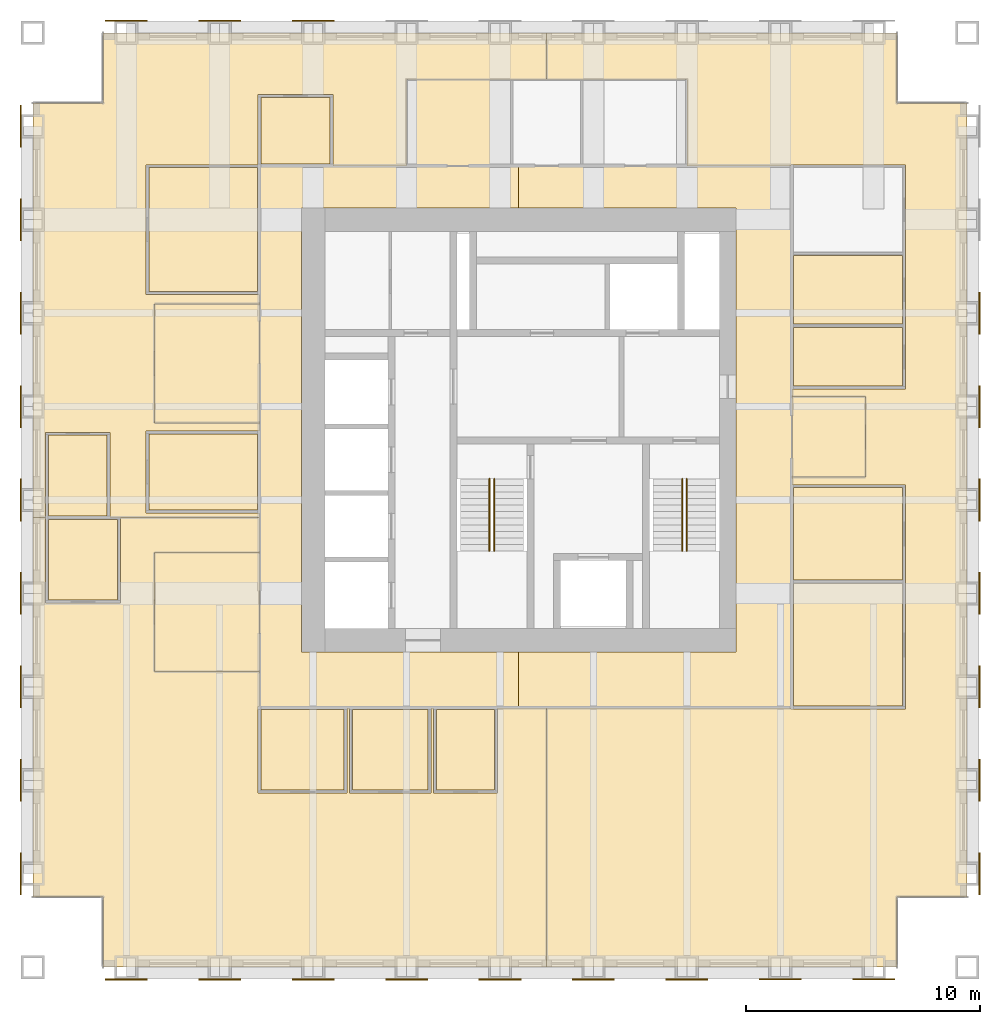
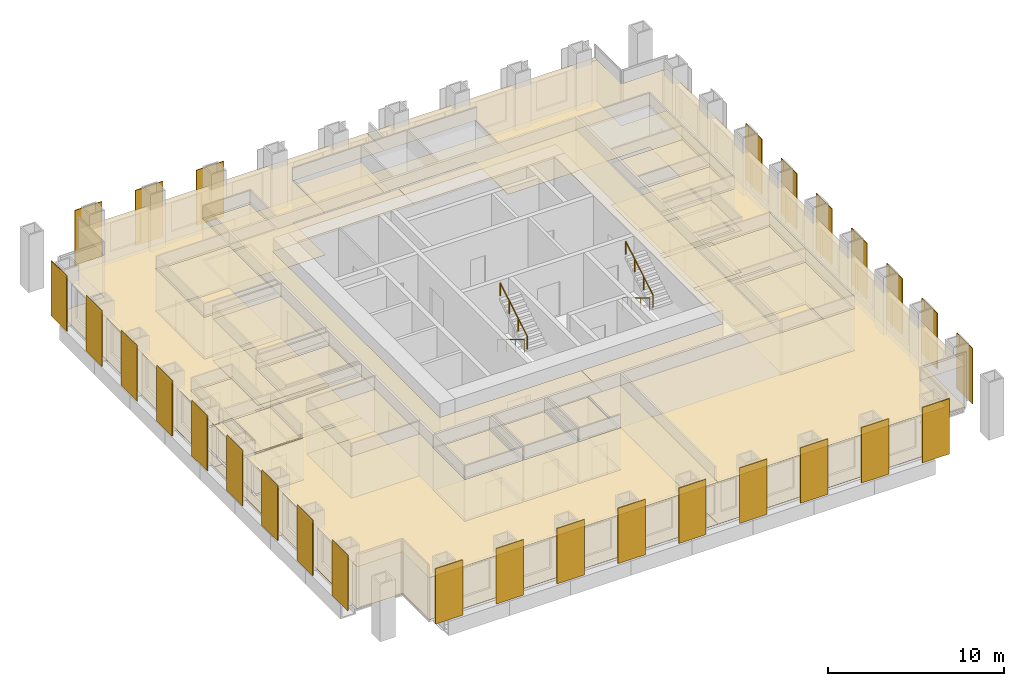
# One storey, part 12 of 13: 39 coverings, 28 shading devices, 4 railings.
"""IFC4 building model written with IfcOpenShell, lengths in metres."""

from ifc_helpers import new_model, si_unit, direction, frame, origin, origin_2d, place, context, subcontext, project, spatial, polyline, rectangle, circle, outline, extrude, material, layer, layer_set, type_object, element, save


model = new_model("IFC4")

# Units and contexts
model_context = context("Model", 3, precision=1e-05, world=origin(), true_north=direction((0.0, 1.0)))
body_context = subcontext(model_context, "Body", "Model", "MODEL_VIEW")
ifc_project = project(units=[si_unit("LENGTHUNIT", "METRE"), si_unit("AREAUNIT", "SQUARE_METRE"), si_unit("VOLUMEUNIT", "CUBIC_METRE"), si_unit("PLANEANGLEUNIT", "RADIAN"), si_unit("MASSUNIT", "GRAM", prefix="KILO")], contexts=[model_context])

# Site, building, storey
site_placement = place(None, origin())
site = spatial("IfcSite", under=ifc_project, at=site_placement, CompositionType="ELEMENT")
building_placement = place(site_placement, origin())
building = spatial("IfcBuilding", under=site, at=building_placement, Name="Rimbunsela Tower", CompositionType="ELEMENT")
storey_placement = place(building_placement, frame((0.0, 0.0, 290.199951171875)))
storey = spatial("IfcBuildingStorey", under=building, at=storey_placement, Name="L70", CompositionType="ELEMENT", Elevation=290.199951171875)

# Coverings
ifc_material_1 = material(Name="Nylon carpet tile", Category="textile")
ifc_layer_1 = layer(ifc_material_1, 0.010009765625)
ifc_layer_set_1 = layer_set([ifc_layer_1], Name="Carpet tile 10")
covering_type_1 = type_object("IfcCoveringType", Name="Carpet tile 10", PredefinedType="FLOORING", material=ifc_layer_set_1)
covering_1_placement = place(storey_placement, origin())
element("IfcCovering", 1, at=covering_1_placement, inside=storey, type_object=covering_type_1, Name="Floor finish Open office", PredefinedType="FLOORING", context=body_context, shape_type="SweptSolid", body=[
    extrude(outline(polyline([(19.449951171875, 15.10009765625), (19.550048828125, 15.10009765625), (19.550048828125, 11.449951171875), (23.050048828125, 11.449951171875), (23.050048828125, 15.10009765625), (23.14990234375, 15.10009765625), (23.14990234375, 11.449951171875), (25.89990234375, 11.449951171875), (25.89990234375, 15.10009765625), (27.9990234375, 15.10009765625), (27.9990234375, 4.0), (15.699951171875, 4.0), (9.0, 4.0), (9.0, 7.0), (6.0, 7.0), (6.0, 23.2490234375), (6.550048828125, 23.2490234375), (6.550048828125, 19.60009765625), (9.75, 19.60009765625), (9.75, 23.2490234375), (15.699951171875, 23.2490234375), (15.699951171875, 21.75), (11.199951171875, 21.75), (11.199951171875, 16.64990234375), (15.699951171875, 16.64990234375), (15.699951171875, 15.14990234375), (15.64990234375, 15.14990234375), (15.64990234375, 11.449951171875), (15.699951171875, 11.449951171875), (19.449951171875, 11.449951171875), (19.449951171875, 15.10009765625)])), origin(), (0.0, 0.0, 1.0), 0.010009765625),
])
covering_2_placement = place(storey_placement, origin())
element("IfcCovering", 2, at=covering_2_placement, inside=storey, type_object=covering_type_1, Name="Floor finish Open office", PredefinedType="FLOORING", context=body_context, shape_type="SweptSolid", body=[
    extrude(outline(polyline([(15.64990234375, 38.35009765625), (10.85009765625, 38.35009765625), (10.85009765625, 32.800048828125), (15.699951171875, 32.800048828125), (15.699951171875, 32.39990234375), (11.199951171875, 32.39990234375), (11.199951171875, 27.300048828125), (15.699951171875, 27.300048828125), (15.699951171875, 26.949951171875), (10.85009765625, 26.949951171875), (10.85009765625, 23.449951171875), (15.699951171875, 23.449951171875), (15.699951171875, 23.2509765625), (9.300048828125, 23.2509765625), (9.300048828125, 26.89990234375), (6.550048828125, 26.89990234375), (6.550048828125, 23.2509765625), (6.0, 23.2509765625), (6.0, 41.0), (9.0, 41.0), (9.0, 44.0), (15.699951171875, 44.0), (27.9990234375, 44.0), (27.9990234375, 42.0), (22.0, 42.0), (22.0, 38.300048828125), (18.85009765625, 38.300048828125), (18.85009765625, 41.35009765625), (15.699951171875, 41.35009765625), (15.64990234375, 41.35009765625), (15.64990234375, 38.35009765625)])), origin(), (0.0, 0.0, 1.0), 0.010009765625),
])
covering_3_placement = place(storey_placement, origin())
element("IfcCovering", 3, at=covering_3_placement, inside=storey, type_object=covering_type_1, Name="Floor finish Open office", PredefinedType="FLOORING", context=body_context, shape_type="SweptSolid", body=[
    extrude(outline(polyline([(28.0009765625, 15.10009765625), (38.449951171875, 15.10009765625), (38.449951171875, 15.050048828125), (38.5, 15.050048828125), (43.35009765625, 15.050048828125), (43.35009765625, 20.449951171875), (43.35009765625, 20.550048828125), (43.35009765625, 24.64990234375), (38.5, 24.64990234375), (38.5, 24.97509765625), (41.64990234375, 24.97509765625), (41.64990234375, 28.425048828125), (38.5, 28.425048828125), (38.5, 28.75), (43.35009765625, 28.75), (43.35009765625, 31.39990234375), (43.35009765625, 31.5), (43.35009765625, 34.5), (43.35009765625, 34.60009765625), (43.35009765625, 38.35009765625), (38.5, 38.35009765625), (38.449951171875, 38.35009765625), (38.449951171875, 38.300048828125), (34.0, 38.300048828125), (34.0, 42.0), (28.0009765625, 42.0), (28.0009765625, 44.0), (38.5, 44.0), (43.0, 44.0), (43.0, 41.0), (46.0, 41.0), (46.0, 7.0), (43.0, 7.0), (43.0, 4.0), (38.5, 4.0), (28.0009765625, 4.0), (28.0009765625, 15.10009765625)])), origin(), (0.0, 0.0, 1.0), 0.010009765625),
])
covering_4_placement = place(storey_placement, origin())
element("IfcCovering", 4, at=covering_4_placement, inside=storey, type_object=covering_type_1, Name="Floor finish Reception", PredefinedType="FLOORING", context=body_context, shape_type="SweptSolid", body=[
    extrude(outline(polyline([(15.699951171875, 16.64990234375), (15.699951171875, 21.75), (11.199951171875, 21.75), (11.199951171875, 16.64990234375), (15.699951171875, 16.64990234375)])), origin(), (0.0, 0.0, 1.0), 0.010009765625),
])
covering_5_placement = place(storey_placement, origin())
element("IfcCovering", 5, at=covering_5_placement, inside=storey, type_object=covering_type_1, Name="Floor finish Reception", PredefinedType="FLOORING", context=body_context, shape_type="SweptSolid", body=[
    extrude(outline(polyline([(15.699951171875, 27.300048828125), (15.699951171875, 32.39990234375), (11.199951171875, 32.39990234375), (11.199951171875, 27.300048828125), (15.699951171875, 27.300048828125)])), origin(), (0.0, 0.0, 1.0), 0.010009765625),
])
covering_6_placement = place(storey_placement, origin())
element("IfcCovering", 6, at=covering_6_placement, inside=storey, type_object=covering_type_1, Name="Floor finish Reception", PredefinedType="FLOORING", context=body_context, shape_type="SweptSolid", body=[
    extrude(outline(polyline([(41.64990234375, 24.97509765625), (41.64990234375, 28.425048828125), (38.5, 28.425048828125), (38.5, 24.97509765625), (41.64990234375, 24.97509765625)])), origin(), (0.0, 0.0, 1.0), 0.010009765625),
])
covering_7_placement = place(storey_placement, origin())
element("IfcCovering", 7, at=covering_7_placement, inside=storey, type_object=covering_type_1, Name="Floor finish Meeting room", PredefinedType="FLOORING", context=body_context, shape_type="SweptSolid", body=[
    extrude(outline(polyline([(15.625, 32.925048828125), (15.625, 38.22509765625), (10.97509765625, 38.22509765625), (10.97509765625, 32.925048828125), (15.625, 32.925048828125)])), origin(), (0.0, 0.0, 1.0), 0.010009765625),
])
covering_8_placement = place(storey_placement, origin())
element("IfcCovering", 8, at=covering_8_placement, inside=storey, type_object=covering_type_1, Name="Floor finish Meeting room", PredefinedType="FLOORING", context=body_context, shape_type="SweptSolid", body=[
    extrude(outline(polyline([(43.22509765625, 15.175048828125), (43.22509765625, 20.425048828125), (38.574951171875, 20.425048828125), (38.574951171875, 15.175048828125), (43.22509765625, 15.175048828125)])), origin(), (0.0, 0.0, 1.0), 0.010009765625),
])
covering_9_placement = place(storey_placement, origin())
element("IfcCovering", 9, at=covering_9_placement, inside=storey, type_object=covering_type_1, Name="Floor finish Pantry", PredefinedType="FLOORING", context=body_context, shape_type="SweptSolid", body=[
    extrude(outline(polyline([(43.22509765625, 20.574951171875), (43.22509765625, 24.52490234375), (38.574951171875, 24.52490234375), (38.574951171875, 20.574951171875), (43.22509765625, 20.574951171875)])), origin(), (0.0, 0.0, 1.0), 0.010009765625),
])
covering_10_placement = place(storey_placement, origin())
element("IfcCovering", 10, at=covering_10_placement, inside=storey, type_object=covering_type_1, Name="Floor finish Print and copy room", PredefinedType="FLOORING", context=body_context, shape_type="SweptSolid", body=[
    extrude(outline(polyline([(43.22509765625, 28.875), (43.22509765625, 31.375), (38.574951171875, 31.375), (38.574951171875, 28.875), (43.22509765625, 28.875)])), origin(), (0.0, 0.0, 1.0), 0.010009765625),
])
covering_11_placement = place(storey_placement, origin())
element("IfcCovering", 11, at=covering_11_placement, inside=storey, type_object=covering_type_1, Name="Floor finish Office", PredefinedType="FLOORING", context=body_context, shape_type="SweptSolid", body=[
    extrude(outline(polyline([(43.22509765625, 31.52490234375), (43.22509765625, 34.47509765625), (38.574951171875, 34.47509765625), (38.574951171875, 31.52490234375), (43.22509765625, 31.52490234375)])), origin(), (0.0, 0.0, 1.0), 0.010009765625),
])
covering_12_placement = place(storey_placement, origin())
element("IfcCovering", 12, at=covering_12_placement, inside=storey, type_object=covering_type_1, Name="Floor finish Meeting room", PredefinedType="FLOORING", context=body_context, shape_type="SweptSolid", body=[
    extrude(outline(polyline([(19.324951171875, 11.574951171875), (19.324951171875, 15.02490234375), (15.77490234375, 15.02490234375), (15.77490234375, 11.574951171875), (19.324951171875, 11.574951171875)])), origin(), (0.0, 0.0, 1.0), 0.010009765625),
])
covering_13_placement = place(storey_placement, origin())
element("IfcCovering", 13, at=covering_13_placement, inside=storey, type_object=covering_type_1, Name="Floor finish Pantry", PredefinedType="FLOORING", context=body_context, shape_type="SweptSolid", body=[
    extrude(outline(polyline([(22.925048828125, 11.574951171875), (22.925048828125, 15.02490234375), (19.675048828125, 15.02490234375), (19.675048828125, 11.574951171875), (22.925048828125, 11.574951171875)])), origin(), (0.0, 0.0, 1.0), 0.010009765625),
])
covering_14_placement = place(storey_placement, origin())
element("IfcCovering", 14, at=covering_14_placement, inside=storey, type_object=covering_type_1, Name="Floor finish Print and copy room", PredefinedType="FLOORING", context=body_context, shape_type="SweptSolid", body=[
    extrude(outline(polyline([(25.77490234375, 11.574951171875), (25.77490234375, 15.02490234375), (23.27490234375, 15.02490234375), (23.27490234375, 11.574951171875), (25.77490234375, 11.574951171875)])), origin(), (0.0, 0.0, 1.0), 0.010009765625),
])
covering_15_placement = place(storey_placement, origin())
element("IfcCovering", 15, at=covering_15_placement, inside=storey, type_object=covering_type_1, Name="Floor finish Office", PredefinedType="FLOORING", context=body_context, shape_type="SweptSolid", body=[
    extrude(outline(polyline([(9.625, 19.72509765625), (9.625, 23.175048828125), (6.675048828125, 23.175048828125), (6.675048828125, 19.72509765625), (9.625, 19.72509765625)])), origin(), (0.0, 0.0, 1.0), 0.010009765625),
])
covering_16_placement = place(storey_placement, origin())
element("IfcCovering", 16, at=covering_16_placement, inside=storey, type_object=covering_type_1, Name="Floor finish Pantry", PredefinedType="FLOORING", context=body_context, shape_type="SweptSolid", body=[
    extrude(outline(polyline([(15.625, 23.574951171875), (15.625, 26.824951171875), (10.97509765625, 26.824951171875), (10.97509765625, 23.574951171875), (15.625, 23.574951171875)])), origin(), (0.0, 0.0, 1.0), 0.010009765625),
])
covering_17_placement = place(storey_placement, origin())
element("IfcCovering", 17, at=covering_17_placement, inside=storey, type_object=covering_type_1, Name="Floor finish Print and copy room", PredefinedType="FLOORING", context=body_context, shape_type="SweptSolid", body=[
    extrude(outline(polyline([(9.175048828125, 23.324951171875), (9.175048828125, 26.77490234375), (6.675048828125, 26.77490234375), (6.675048828125, 23.324951171875), (9.175048828125, 23.324951171875)])), origin(), (0.0, 0.0, 1.0), 0.010009765625),
])
covering_18_placement = place(storey_placement, origin())
element("IfcCovering", 18, at=covering_18_placement, inside=storey, type_object=covering_type_1, Name="Floor finish Office", PredefinedType="FLOORING", context=body_context, shape_type="SweptSolid", body=[
    extrude(outline(polyline([(18.72509765625, 38.375), (18.72509765625, 41.22509765625), (15.77490234375, 41.22509765625), (15.77490234375, 38.375), (18.72509765625, 38.375)])), origin(), (0.0, 0.0, 1.0), 0.010009765625),
])
ifc_material_2 = material(Name="Mineral fibre ceiling tile", Category="gypsum")
ifc_layer_2 = layer(ifc_material_2, 0.02001953125)
ifc_layer_set_2 = layer_set([ifc_layer_2], Name="Ceiling 600 grid")
covering_type_2 = type_object("IfcCoveringType", Name="Ceiling 600 grid", PredefinedType="CEILING", material=ifc_layer_set_2)
covering_19_placement = place(storey_placement, frame((0.0, 0.0, 2.900146484375)))
element("IfcCovering", 19, at=covering_19_placement, inside=storey, type_object=covering_type_2, Name="Ceiling Ring corridor", PredefinedType="CEILING", context=body_context, shape_type="SweptSolid", body=[
    extrude(outline(polyline([(15.699951171875, 38.300048828125), (26.800048828125, 38.300048828125), (26.800048828125, 36.5), (17.5, 36.5), (17.5, 17.5), (26.800048828125, 17.5), (26.800048828125, 15.10009765625), (15.699951171875, 15.10009765625), (15.699951171875, 38.300048828125)])), origin(), (0.0, 0.0, 1.0), 0.02001953125),
])
covering_20_placement = place(storey_placement, frame((0.0, 0.0, 2.900146484375)))
element("IfcCovering", 20, at=covering_20_placement, inside=storey, type_object=covering_type_2, Name="Ceiling Ring corridor", PredefinedType="CEILING", context=body_context, shape_type="SweptSolid", body=[
    extrude(outline(polyline([(38.5, 38.300048828125), (38.5, 15.10009765625), (26.800048828125, 15.10009765625), (26.800048828125, 17.5), (36.10009765625, 17.5), (36.10009765625, 36.5), (26.800048828125, 36.5), (26.800048828125, 38.300048828125), (38.5, 38.300048828125)])), origin(), (0.0, 0.0, 1.0), 0.02001953125),
])
covering_21_placement = place(storey_placement, frame((0.0, 0.0, 2.900146484375)))
element("IfcCovering", 21, at=covering_21_placement, inside=storey, type_object=covering_type_2, Name="Ceiling Open office", PredefinedType="CEILING", context=body_context, shape_type="SweptSolid", body=[
    extrude(outline(polyline([(19.449951171875, 15.10009765625), (19.550048828125, 15.10009765625), (19.550048828125, 11.449951171875), (23.050048828125, 11.449951171875), (23.050048828125, 15.10009765625), (23.14990234375, 15.10009765625), (23.14990234375, 11.449951171875), (25.89990234375, 11.449951171875), (25.89990234375, 15.10009765625), (27.9990234375, 15.10009765625), (27.9990234375, 4.0), (15.699951171875, 4.0), (9.0, 4.0), (9.0, 7.0), (6.0, 7.0), (6.0, 23.2490234375), (6.550048828125, 23.2490234375), (6.550048828125, 19.60009765625), (9.75, 19.60009765625), (9.75, 23.2490234375), (15.699951171875, 23.2490234375), (15.699951171875, 21.75), (11.199951171875, 21.75), (11.199951171875, 16.64990234375), (15.699951171875, 16.64990234375), (15.699951171875, 15.14990234375), (15.64990234375, 15.14990234375), (15.64990234375, 11.449951171875), (15.699951171875, 11.449951171875), (19.449951171875, 11.449951171875), (19.449951171875, 15.10009765625)])), origin(), (0.0, 0.0, 1.0), 0.02001953125),
])
covering_22_placement = place(storey_placement, frame((0.0, 0.0, 2.900146484375)))
element("IfcCovering", 22, at=covering_22_placement, inside=storey, type_object=covering_type_2, Name="Ceiling Open office", PredefinedType="CEILING", context=body_context, shape_type="SweptSolid", body=[
    extrude(outline(polyline([(15.64990234375, 38.35009765625), (10.85009765625, 38.35009765625), (10.85009765625, 32.800048828125), (15.699951171875, 32.800048828125), (15.699951171875, 32.39990234375), (11.199951171875, 32.39990234375), (11.199951171875, 27.300048828125), (15.699951171875, 27.300048828125), (15.699951171875, 26.949951171875), (10.85009765625, 26.949951171875), (10.85009765625, 23.449951171875), (15.699951171875, 23.449951171875), (15.699951171875, 23.2509765625), (9.300048828125, 23.2509765625), (9.300048828125, 26.89990234375), (6.550048828125, 26.89990234375), (6.550048828125, 23.2509765625), (6.0, 23.2509765625), (6.0, 41.0), (9.0, 41.0), (9.0, 44.0), (15.699951171875, 44.0), (27.9990234375, 44.0), (27.9990234375, 42.0), (22.0, 42.0), (22.0, 38.300048828125), (18.85009765625, 38.300048828125), (18.85009765625, 41.35009765625), (15.699951171875, 41.35009765625), (15.64990234375, 41.35009765625), (15.64990234375, 38.35009765625)])), origin(), (0.0, 0.0, 1.0), 0.02001953125),
])
covering_23_placement = place(storey_placement, frame((0.0, 0.0, 2.900146484375)))
element("IfcCovering", 23, at=covering_23_placement, inside=storey, type_object=covering_type_2, Name="Ceiling Open office", PredefinedType="CEILING", context=body_context, shape_type="SweptSolid", body=[
    extrude(outline(polyline([(28.0009765625, 15.10009765625), (38.449951171875, 15.10009765625), (38.449951171875, 15.050048828125), (38.5, 15.050048828125), (43.35009765625, 15.050048828125), (43.35009765625, 20.449951171875), (43.35009765625, 20.550048828125), (43.35009765625, 24.64990234375), (38.5, 24.64990234375), (38.5, 24.97509765625), (41.64990234375, 24.97509765625), (41.64990234375, 28.425048828125), (38.5, 28.425048828125), (38.5, 28.75), (43.35009765625, 28.75), (43.35009765625, 31.39990234375), (43.35009765625, 31.5), (43.35009765625, 34.5), (43.35009765625, 34.60009765625), (43.35009765625, 38.35009765625), (38.5, 38.35009765625), (38.449951171875, 38.35009765625), (38.449951171875, 38.300048828125), (34.0, 38.300048828125), (34.0, 42.0), (28.0009765625, 42.0), (28.0009765625, 44.0), (38.5, 44.0), (43.0, 44.0), (43.0, 41.0), (46.0, 41.0), (46.0, 7.0), (43.0, 7.0), (43.0, 4.0), (38.5, 4.0), (28.0009765625, 4.0), (28.0009765625, 15.10009765625)])), origin(), (0.0, 0.0, 1.0), 0.02001953125),
])
covering_24_placement = place(storey_placement, frame((0.0, 0.0, 2.900146484375)))
element("IfcCovering", 24, at=covering_24_placement, inside=storey, type_object=covering_type_2, Name="Ceiling Reception", PredefinedType="CEILING", context=body_context, shape_type="SweptSolid", body=[
    extrude(outline(polyline([(15.699951171875, 16.64990234375), (15.699951171875, 21.75), (11.199951171875, 21.75), (11.199951171875, 16.64990234375), (15.699951171875, 16.64990234375)])), origin(), (0.0, 0.0, 1.0), 0.02001953125),
])
covering_25_placement = place(storey_placement, frame((0.0, 0.0, 2.900146484375)))
element("IfcCovering", 25, at=covering_25_placement, inside=storey, type_object=covering_type_2, Name="Ceiling Reception", PredefinedType="CEILING", context=body_context, shape_type="SweptSolid", body=[
    extrude(outline(polyline([(15.699951171875, 27.300048828125), (15.699951171875, 32.39990234375), (11.199951171875, 32.39990234375), (11.199951171875, 27.300048828125), (15.699951171875, 27.300048828125)])), origin(), (0.0, 0.0, 1.0), 0.02001953125),
])
covering_26_placement = place(storey_placement, frame((0.0, 0.0, 2.900146484375)))
element("IfcCovering", 26, at=covering_26_placement, inside=storey, type_object=covering_type_2, Name="Ceiling Reception", PredefinedType="CEILING", context=body_context, shape_type="SweptSolid", body=[
    extrude(outline(polyline([(41.64990234375, 24.97509765625), (41.64990234375, 28.425048828125), (38.5, 28.425048828125), (38.5, 24.97509765625), (41.64990234375, 24.97509765625)])), origin(), (0.0, 0.0, 1.0), 0.02001953125),
])
covering_27_placement = place(storey_placement, frame((0.0, 0.0, 2.900146484375)))
element("IfcCovering", 27, at=covering_27_placement, inside=storey, type_object=covering_type_2, Name="Ceiling Meeting room", PredefinedType="CEILING", context=body_context, shape_type="SweptSolid", body=[
    extrude(outline(polyline([(15.625, 32.925048828125), (15.625, 38.22509765625), (10.97509765625, 38.22509765625), (10.97509765625, 32.925048828125), (15.625, 32.925048828125)])), origin(), (0.0, 0.0, 1.0), 0.02001953125),
])
covering_28_placement = place(storey_placement, frame((0.0, 0.0, 2.900146484375)))
element("IfcCovering", 28, at=covering_28_placement, inside=storey, type_object=covering_type_2, Name="Ceiling Meeting room", PredefinedType="CEILING", context=body_context, shape_type="SweptSolid", body=[
    extrude(outline(polyline([(43.22509765625, 15.175048828125), (43.22509765625, 20.425048828125), (38.574951171875, 20.425048828125), (38.574951171875, 15.175048828125), (43.22509765625, 15.175048828125)])), origin(), (0.0, 0.0, 1.0), 0.02001953125),
])
covering_29_placement = place(storey_placement, frame((0.0, 0.0, 2.900146484375)))
element("IfcCovering", 29, at=covering_29_placement, inside=storey, type_object=covering_type_2, Name="Ceiling Pantry", PredefinedType="CEILING", context=body_context, shape_type="SweptSolid", body=[
    extrude(outline(polyline([(43.22509765625, 20.574951171875), (43.22509765625, 24.52490234375), (38.574951171875, 24.52490234375), (38.574951171875, 20.574951171875), (43.22509765625, 20.574951171875)])), origin(), (0.0, 0.0, 1.0), 0.02001953125),
])
covering_30_placement = place(storey_placement, frame((0.0, 0.0, 2.900146484375)))
element("IfcCovering", 30, at=covering_30_placement, inside=storey, type_object=covering_type_2, Name="Ceiling Print and copy room", PredefinedType="CEILING", context=body_context, shape_type="SweptSolid", body=[
    extrude(outline(polyline([(43.22509765625, 28.875), (43.22509765625, 31.375), (38.574951171875, 31.375), (38.574951171875, 28.875), (43.22509765625, 28.875)])), origin(), (0.0, 0.0, 1.0), 0.02001953125),
])
covering_31_placement = place(storey_placement, frame((0.0, 0.0, 2.900146484375)))
element("IfcCovering", 31, at=covering_31_placement, inside=storey, type_object=covering_type_2, Name="Ceiling Office", PredefinedType="CEILING", context=body_context, shape_type="SweptSolid", body=[
    extrude(outline(polyline([(43.22509765625, 31.52490234375), (43.22509765625, 34.47509765625), (38.574951171875, 34.47509765625), (38.574951171875, 31.52490234375), (43.22509765625, 31.52490234375)])), origin(), (0.0, 0.0, 1.0), 0.02001953125),
])
covering_32_placement = place(storey_placement, frame((0.0, 0.0, 2.900146484375)))
element("IfcCovering", 32, at=covering_32_placement, inside=storey, type_object=covering_type_2, Name="Ceiling Meeting room", PredefinedType="CEILING", context=body_context, shape_type="SweptSolid", body=[
    extrude(outline(polyline([(19.324951171875, 11.574951171875), (19.324951171875, 15.02490234375), (15.77490234375, 15.02490234375), (15.77490234375, 11.574951171875), (19.324951171875, 11.574951171875)])), origin(), (0.0, 0.0, 1.0), 0.02001953125),
])
covering_33_placement = place(storey_placement, frame((0.0, 0.0, 2.900146484375)))
element("IfcCovering", 33, at=covering_33_placement, inside=storey, type_object=covering_type_2, Name="Ceiling Pantry", PredefinedType="CEILING", context=body_context, shape_type="SweptSolid", body=[
    extrude(outline(polyline([(22.925048828125, 11.574951171875), (22.925048828125, 15.02490234375), (19.675048828125, 15.02490234375), (19.675048828125, 11.574951171875), (22.925048828125, 11.574951171875)])), origin(), (0.0, 0.0, 1.0), 0.02001953125),
])
covering_34_placement = place(storey_placement, frame((0.0, 0.0, 2.900146484375)))
element("IfcCovering", 34, at=covering_34_placement, inside=storey, type_object=covering_type_2, Name="Ceiling Print and copy room", PredefinedType="CEILING", context=body_context, shape_type="SweptSolid", body=[
    extrude(outline(polyline([(25.77490234375, 11.574951171875), (25.77490234375, 15.02490234375), (23.27490234375, 15.02490234375), (23.27490234375, 11.574951171875), (25.77490234375, 11.574951171875)])), origin(), (0.0, 0.0, 1.0), 0.02001953125),
])
covering_35_placement = place(storey_placement, frame((0.0, 0.0, 2.900146484375)))
element("IfcCovering", 35, at=covering_35_placement, inside=storey, type_object=covering_type_2, Name="Ceiling Office", PredefinedType="CEILING", context=body_context, shape_type="SweptSolid", body=[
    extrude(outline(polyline([(9.625, 19.72509765625), (9.625, 23.175048828125), (6.675048828125, 23.175048828125), (6.675048828125, 19.72509765625), (9.625, 19.72509765625)])), origin(), (0.0, 0.0, 1.0), 0.02001953125),
])
covering_36_placement = place(storey_placement, frame((0.0, 0.0, 2.900146484375)))
element("IfcCovering", 36, at=covering_36_placement, inside=storey, type_object=covering_type_2, Name="Ceiling Pantry", PredefinedType="CEILING", context=body_context, shape_type="SweptSolid", body=[
    extrude(outline(polyline([(15.625, 23.574951171875), (15.625, 26.824951171875), (10.97509765625, 26.824951171875), (10.97509765625, 23.574951171875), (15.625, 23.574951171875)])), origin(), (0.0, 0.0, 1.0), 0.02001953125),
])
covering_37_placement = place(storey_placement, frame((0.0, 0.0, 2.900146484375)))
element("IfcCovering", 37, at=covering_37_placement, inside=storey, type_object=covering_type_2, Name="Ceiling Print and copy room", PredefinedType="CEILING", context=body_context, shape_type="SweptSolid", body=[
    extrude(outline(polyline([(9.175048828125, 23.324951171875), (9.175048828125, 26.77490234375), (6.675048828125, 26.77490234375), (6.675048828125, 23.324951171875), (9.175048828125, 23.324951171875)])), origin(), (0.0, 0.0, 1.0), 0.02001953125),
])
covering_38_placement = place(storey_placement, frame((0.0, 0.0, 2.900146484375)))
element("IfcCovering", 38, at=covering_38_placement, inside=storey, type_object=covering_type_2, Name="Ceiling Office", PredefinedType="CEILING", context=body_context, shape_type="SweptSolid", body=[
    extrude(outline(polyline([(18.72509765625, 38.375), (18.72509765625, 41.22509765625), (15.77490234375, 41.22509765625), (15.77490234375, 38.375), (18.72509765625, 38.375)])), origin(), (0.0, 0.0, 1.0), 0.02001953125),
])
ifc_material_3 = material(Name="Moisture-resistant plasterboard ceiling", Category="gypsum")
ifc_layer_3 = layer(ifc_material_3, 0.012451171875)
ifc_layer_set_3 = layer_set([ifc_layer_3], Name="Ceiling moisture-resistant board")
covering_type_3 = type_object("IfcCoveringType", Name="Ceiling moisture-resistant board", PredefinedType="CEILING", material=ifc_layer_set_3)
covering_39_placement = place(storey_placement, frame((0.0, 0.0, 2.60009765625)))
element("IfcCovering", 39, at=covering_39_placement, inside=storey, type_object=covering_type_3, Name="Ceiling Female WC", PredefinedType="CEILING", context=body_context, shape_type="SweptSolid", body=[
    extrude(outline(polyline([(26.5, 38.300048828125), (26.5, 42.0), (22.0, 42.0), (22.0, 38.300048828125), (26.5, 38.300048828125)])), origin(), (0.0, 0.0, 1.0), 0.02001953125),
])

# Shading devices
ifc_material_4 = material(Name="Perforated aluminium, 35 % open area", Category="aluminium")
ifc_layer_4 = layer(ifc_material_4, 0.050048828125)
ifc_layer_set_4 = layer_set([ifc_layer_4], Name="Solar screen panel 1800")
shading_device_type = type_object("IfcShadingDeviceType", Name="Solar screen panel 1800", PredefinedType="USERDEFINED", material=ifc_layer_set_4)
for number, where, z_axis, x_axis, name in (
    (40, (10.0, 3.47509765625, 0.0), (0.0, 0.0, 1.0), (1.0, 0.0, 0.0), "Solar screen S L70"),
    (41, (14.0, 3.47509765625, 0.0), (0.0, 0.0, 1.0), (1.0, 0.0, 0.0), "Solar screen S L70"),
    (42, (18.0, 3.47509765625, 0.0), (0.0, 0.0, 1.0), (1.0, 0.0, 0.0), "Solar screen S L70"),
    (43, (22.0, 3.47509765625, 0.0), (0.0, 0.0, 1.0), (1.0, 0.0, 0.0), "Solar screen S L70"),
    (44, (26.0, 3.47509765625, 0.0), (0.0, 0.0, 1.0), (1.0, 0.0, 0.0), "Solar screen S L70"),
    (45, (30.0, 3.47509765625, 0.0), (0.0, 0.0, 1.0), (1.0, 0.0, 0.0), "Solar screen S L70"),
    (46, (34.0, 3.47509765625, 0.0), (0.0, 0.0, 1.0), (1.0, 0.0, 0.0), "Solar screen S L70"),
    (47, (38.0, 3.47509765625, 0.0), (0.0, 0.0, 1.0), (1.0, 0.0, 0.0), "Solar screen S L70"),
    (48, (42.0, 3.47509765625, 0.0), (0.0, 0.0, 1.0), (1.0, 0.0, 0.0), "Solar screen S L70"),
    (49, (46.52490234375, 8.0, 0.0), (0.0, 0.0, 1.0), (0.0, 1.0, 0.0), "Solar screen E L70"),
    (50, (46.52490234375, 12.0, 0.0), (0.0, 0.0, 1.0), (0.0, 1.0, 0.0), "Solar screen E L70"),
    (51, (46.52490234375, 16.0, 0.0), (0.0, 0.0, 1.0), (0.0, 1.0, 0.0), "Solar screen E L70"),
    (52, (46.52490234375, 20.0, 0.0), (0.0, 0.0, 1.0), (0.0, 1.0, 0.0), "Solar screen E L70"),
    (53, (46.52490234375, 24.0, 0.0), (0.0, 0.0, 1.0), (0.0, 1.0, 0.0), "Solar screen E L70"),
    (54, (46.52490234375, 28.0, 0.0), (0.0, 0.0, 1.0), (0.0, 1.0, 0.0), "Solar screen E L70"),
    (55, (46.52490234375, 32.0, 0.0), (0.0, 0.0, 1.0), (0.0, 1.0, 0.0), "Solar screen E L70"),
    (56, (10.0, 44.52490234375, 0.0), (0.0, 0.0, 1.0), (1.0, 0.0, 0.0), "Solar screen N L70"),
    (57, (14.0, 44.52490234375, 0.0), (0.0, 0.0, 1.0), (1.0, 0.0, 0.0), "Solar screen N L70"),
    (58, (18.0, 44.52490234375, 0.0), (0.0, 0.0, 1.0), (1.0, 0.0, 0.0), "Solar screen N L70"),
    (59, (5.47509765625, 8.0, 0.0), (0.0, 0.0, 1.0), (0.0, 1.0, 0.0), "Solar screen W L70"),
    (60, (5.47509765625, 12.0, 0.0), (0.0, 0.0, 1.0), (0.0, 1.0, 0.0), "Solar screen W L70"),
    (61, (5.47509765625, 16.0, 0.0), (0.0, 0.0, 1.0), (0.0, 1.0, 0.0), "Solar screen W L70"),
    (62, (5.47509765625, 20.0, 0.0), (0.0, 0.0, 1.0), (0.0, 1.0, 0.0), "Solar screen W L70"),
    (63, (5.47509765625, 24.0, 0.0), (0.0, 0.0, 1.0), (0.0, 1.0, 0.0), "Solar screen W L70"),
    (64, (5.47509765625, 28.0, 0.0), (0.0, 0.0, 1.0), (0.0, 1.0, 0.0), "Solar screen W L70"),
    (65, (5.47509765625, 32.0, 0.0), (0.0, 0.0, 1.0), (0.0, 1.0, 0.0), "Solar screen W L70"),
    (66, (5.47509765625, 36.0, 0.0), (0.0, 0.0, 1.0), (0.0, 1.0, 0.0), "Solar screen W L70"),
    (67, (5.47509765625, 40.0, 0.0), (0.0, 0.0, 1.0), (0.0, 1.0, 0.0), "Solar screen W L70"),
):
    element("IfcShadingDevice", number, at=place(storey_placement, frame(where, z_axis=z_axis, x_axis=x_axis)), inside=storey, type_object=shading_device_type, Name=name, ObjectType="SCREEN", PredefinedType="USERDEFINED", context=body_context, shape_type="SweptSolid", body=[
        extrude(rectangle(XDim=1.800048828125, YDim=0.050048828125, at=origin_2d()), origin(), (0.0, 0.0, 1.0), 3.85009765625),
    ])

# Railings
ifc_material_5 = material(Name="Stainless steel tube", Category="steel")
railing_type = type_object("IfcRailingType", Name="Stair handrail 900", PredefinedType="HANDRAIL", material=ifc_material_5)
railing_1_placement = place(storey_placement, frame((25.550048828125, 24.89990234375, 0.166748046875)))
element("IfcRailing", 68, at=railing_1_placement, inside=storey, type_object=railing_type, Name="Handrail ST-A flight 1", PredefinedType="HANDRAIL", context=body_context, shape_type="SweptSolid", body=[
    extrude(circle(Radius=0.02392578125, at=origin_2d()), frame((0.0, 0.0, 0.8759765625), z_axis=(0.0, -0.859290745958, 0.51148745235), x_axis=(1.0, 0.0, 0.0)), (0.0, 0.0, 1.0), 3.584228515625),
    extrude(circle(Radius=0.02099609375, at=origin_2d()), origin(), (0.0, 0.0, 1.0), 0.851806640625),
    extrude(circle(Radius=0.02099609375, at=origin_2d()), frame((0.0, -1.026611328125, 0.611083984375)), (0.0, 0.0, 1.0), 0.851806640625),
    extrude(circle(Radius=0.02099609375, at=origin_2d()), frame((0.0, -2.05322265625, 1.22216796875)), (0.0, 0.0, 1.0), 0.851806640625),
    extrude(circle(Radius=0.02099609375, at=origin_2d()), frame((0.0, -3.079833984375, 1.833251953125)), (0.0, 0.0, 1.0), 0.851806640625),
])
railing_2_placement = place(storey_placement, frame((25.75, 21.820068359375, 2.166748046875)))
element("IfcRailing", 69, at=railing_2_placement, inside=storey, type_object=railing_type, Name="Handrail ST-A flight 2", PredefinedType="HANDRAIL", context=body_context, shape_type="SweptSolid", body=[
    extrude(circle(Radius=0.02392578125, at=origin_2d()), frame((0.0, 0.0, 0.8759765625), z_axis=(0.0, 0.859290745958, 0.51148745235), x_axis=(-1.0, 0.0, 0.0)), (0.0, 0.0, 1.0), 3.584228515625),
    extrude(circle(Radius=0.02099609375, at=origin_2d()), origin(), (0.0, 0.0, 1.0), 0.851806640625),
    extrude(circle(Radius=0.02099609375, at=origin_2d()), frame((0.0, 1.026611328125, 0.611083984375)), (0.0, 0.0, 1.0), 0.851806640625),
    extrude(circle(Radius=0.02099609375, at=origin_2d()), frame((0.0, 2.05322265625, 1.22216796875)), (0.0, 0.0, 1.0), 0.851806640625),
    extrude(circle(Radius=0.02099609375, at=origin_2d()), frame((0.0, 3.079833984375, 1.833251953125)), (0.0, 0.0, 1.0), 0.851806640625),
])
railing_3_placement = place(storey_placement, frame((33.800048828125, 24.89990234375, 0.166748046875)))
element("IfcRailing", 70, at=railing_3_placement, inside=storey, type_object=railing_type, Name="Handrail ST-B flight 1", PredefinedType="HANDRAIL", context=body_context, shape_type="SweptSolid", body=[
    extrude(circle(Radius=0.02392578125, at=origin_2d()), frame((0.0, 0.0, 0.8759765625), z_axis=(0.0, -0.859290745958, 0.51148745235), x_axis=(1.0, 0.0, 0.0)), (0.0, 0.0, 1.0), 3.584228515625),
    extrude(circle(Radius=0.02099609375, at=origin_2d()), origin(), (0.0, 0.0, 1.0), 0.851806640625),
    extrude(circle(Radius=0.02099609375, at=origin_2d()), frame((0.0, -1.026611328125, 0.611083984375)), (0.0, 0.0, 1.0), 0.851806640625),
    extrude(circle(Radius=0.02099609375, at=origin_2d()), frame((0.0, -2.05322265625, 1.22216796875)), (0.0, 0.0, 1.0), 0.851806640625),
    extrude(circle(Radius=0.02099609375, at=origin_2d()), frame((0.0, -3.079833984375, 1.833251953125)), (0.0, 0.0, 1.0), 0.851806640625),
])
railing_4_placement = place(storey_placement, frame((34.0, 21.820068359375, 2.166748046875)))
element("IfcRailing", 71, at=railing_4_placement, inside=storey, type_object=railing_type, Name="Handrail ST-B flight 2", PredefinedType="HANDRAIL", context=body_context, shape_type="SweptSolid", body=[
    extrude(circle(Radius=0.02392578125, at=origin_2d()), frame((0.0, 0.0, 0.8759765625), z_axis=(0.0, 0.859290745958, 0.51148745235), x_axis=(-1.0, 0.0, 0.0)), (0.0, 0.0, 1.0), 3.584228515625),
    extrude(circle(Radius=0.02099609375, at=origin_2d()), origin(), (0.0, 0.0, 1.0), 0.851806640625),
    extrude(circle(Radius=0.02099609375, at=origin_2d()), frame((0.0, 1.026611328125, 0.611083984375)), (0.0, 0.0, 1.0), 0.851806640625),
    extrude(circle(Radius=0.02099609375, at=origin_2d()), frame((0.0, 2.05322265625, 1.22216796875)), (0.0, 0.0, 1.0), 0.851806640625),
    extrude(circle(Radius=0.02099609375, at=origin_2d()), frame((0.0, 3.079833984375, 1.833251953125)), (0.0, 0.0, 1.0), 0.851806640625),
])

save(model, "model.ifc")
